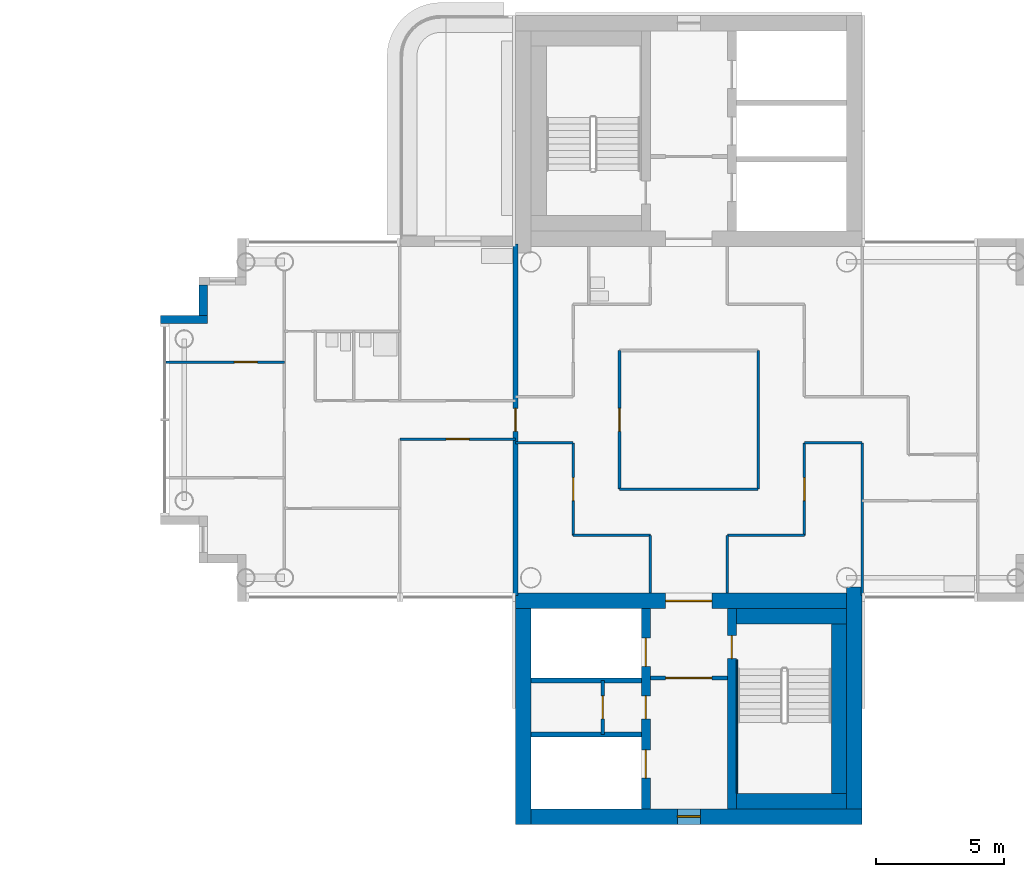
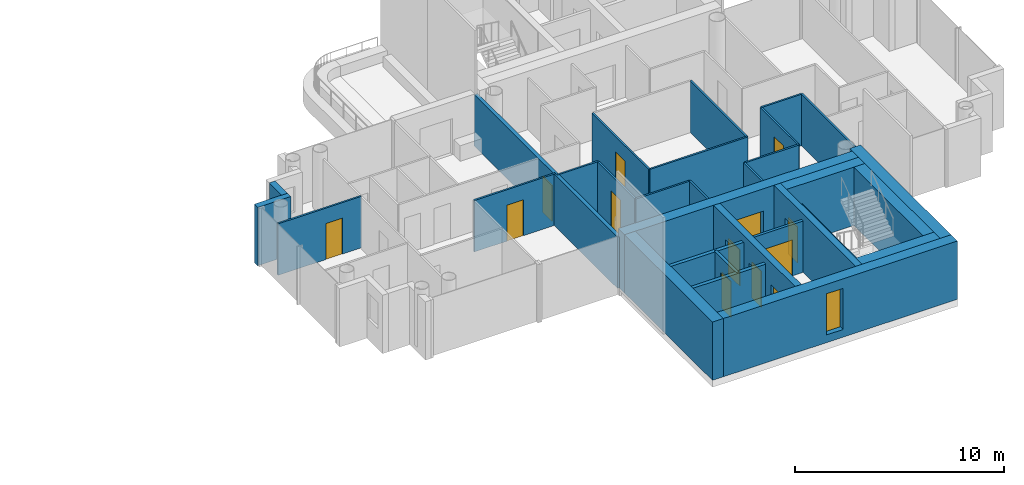
# One storey, part 9 of 18: 31 walls, 13 doors, 1 window, 14 openings.
"""IFC4 building model written with IfcOpenShell, lengths in metres."""

from ifc_helpers import new_model, si_unit, direction, frame, frame_2d, origin, place, context, subcontext, project, spatial, rectangle, extrude, material, layer, layer_set, type_object, element, fill, save


model = new_model("IFC4")

# Units and contexts
model_context = context("Model", 3, precision=1e-05, world=origin(), true_north=direction((0.0, 1.0)))
body_context = subcontext(model_context, "Body", "Model", "MODEL_VIEW")
ifc_project = project(units=[si_unit("LENGTHUNIT", "METRE"), si_unit("AREAUNIT", "SQUARE_METRE"), si_unit("VOLUMEUNIT", "CUBIC_METRE"), si_unit("PLANEANGLEUNIT", "RADIAN"), si_unit("MASSUNIT", "GRAM", prefix="KILO")], contexts=[model_context])

# Site, building, storey
site_placement = place(None, origin())
site = spatial("IfcSite", under=ifc_project, at=site_placement, CompositionType="ELEMENT")
building_placement = place(site_placement, origin())
building = spatial("IfcBuilding", under=site, at=building_placement, Name="Ipe Terrace Towers", CompositionType="ELEMENT")
storey_placement = place(building_placement, frame((0.0, 0.0, 199.39990234375)))
storey = spatial("IfcBuildingStorey", under=building, at=storey_placement, Name="L55", CompositionType="ELEMENT", Elevation=199.39990234375)

# Walls
ifc_material_1 = material(Name="Concrete C40/50 with buff precast cladding", Category="concrete")
ifc_layer_1 = layer(ifc_material_1, 0.320068359375)
ifc_layer_set_1 = layer_set([ifc_layer_1], Name="BUFF CLADDING WALL 320")
wall_type_1 = type_object("IfcWallType", Name="BUFF CLADDING WALL 320", PredefinedType="STANDARD", material=ifc_layer_set_1)
wall_1_placement = place(storey_placement, frame((17.090087890625, 5.25, -0.2998046875), z_axis=(0.0, 0.0, 1.0), x_axis=(0.0, -1.0, 0.0)))
element("IfcWall", 1, at=wall_1_placement, inside=storey, type_object=wall_type_1, Name="T2-W-L55-24a wall", PredefinedType="STANDARD", context=body_context, shape_type="SweptSolid", body=[
    extrude(rectangle(XDim=1.179931640625, YDim=0.320068359375, at=frame_2d((0.58984375, 0.0))), origin(), (0.0, 0.0, 1.0), 3.39990234375),
])
wall_2_placement = place(storey_placement, frame((17.25, 3.909912109375, -0.2998046875), z_axis=(0.0, 0.0, 1.0), x_axis=(-1.0, 0.0, 0.0)))
element("IfcWall", 2, at=wall_2_placement, inside=storey, type_object=wall_type_1, Name="T2-W-L55-25a wall", PredefinedType="STANDARD", context=body_context, shape_type="SweptSolid", body=[
    extrude(rectangle(XDim=1.820068359375, YDim=0.320068359375, at=frame_2d((0.91015625, 0.0))), origin(), (0.0, 0.0, 1.0), 3.39990234375),
])
ifc_material_2 = material(Name="Gypsum board partition", Category="plasterboard")
ifc_layer_2 = layer(ifc_material_2, 0.10009765625)
ifc_layer_set_2 = layer_set([ifc_layer_2], Name="Gypsum board partition 100 mm")
wall_type_2 = type_object("IfcWallType", Name="Gypsum board partition 100 mm", PredefinedType="PARTITIONING", material=ifc_layer_set_2)
for number, where, z_axis, x_axis, name in (
    (3, (40.5, -4.5, 0.0), (0.0, 0.0, 1.0), (-1.0, 0.0, 0.0), "Gypsum board partition T2 L55 W01"),
    (4, (34.5, -4.5, 0.0), (0.0, 0.0, 1.0), (-1.0, 0.0, 0.0), "Gypsum board partition T2 L55 W02"),
):
    element("IfcWall", number, at=place(storey_placement, frame(where, z_axis=z_axis, x_axis=x_axis)), inside=storey, type_object=wall_type_2, Name=name, PredefinedType="PARTITIONING", context=body_context, shape_type="SweptSolid", body=[
        extrude(rectangle(XDim=3.0, YDim=0.10009765625, at=frame_2d((1.5, 0.0))), origin(), (0.0, 0.0, 1.0), 3.0),
    ])
wall_3_placement = place(storey_placement, frame((38.699951171875, -2.699951171875, 0.0), z_axis=(0.0, 0.0, 1.0), x_axis=(-1.0, 0.0, 0.0)))
element("IfcWall", 5, at=wall_3_placement, inside=storey, type_object=wall_type_2, Name="Gypsum board partition T2 L55 W05", PredefinedType="PARTITIONING", context=body_context, shape_type="SweptSolid", body=[
    extrude(rectangle(XDim=5.39990234375, YDim=0.10009765625, at=frame_2d((2.699951171875, 0.0))), origin(), (0.0, 0.0, 1.0), 3.0),
])
for number, where, z_axis, x_axis, name in (
    (6, (42.75, -0.89990234375, 0.0), (0.0, 0.0, 1.0), (-1.0, 0.0, 0.0), "Gypsum board partition T2 L55 W08"),
    (7, (31.5, -0.89990234375, 0.0), (0.0, 0.0, 1.0), (-1.0, 0.0, 0.0), "Gypsum board partition T2 L55 W09"),
):
    element("IfcWall", number, at=place(storey_placement, frame(where, z_axis=z_axis, x_axis=x_axis)), inside=storey, type_object=wall_type_2, Name=name, PredefinedType="PARTITIONING", context=body_context, shape_type="SweptSolid", body=[
        extrude(rectangle(XDim=2.25, YDim=0.10009765625, at=frame_2d((1.125, 0.0))), origin(), (0.0, 0.0, 1.0), 3.0),
    ])

# Wall, opening, door
wall_4_placement = place(storey_placement, frame((29.25, -0.75, 0.0), z_axis=(0.0, 0.0, 1.0), x_axis=(-1.0, 0.0, 0.0)))
wall_4 = element("IfcWall", 8, at=wall_4_placement, inside=storey, type_object=wall_type_2, Name="Gypsum board partition T2 L55 W10", PredefinedType="PARTITIONING", context=body_context, shape_type="SweptSolid", body=[
    extrude(rectangle(XDim=4.5, YDim=0.10009765625, at=frame_2d((2.25, 0.0))), origin(), (0.0, 0.0, 1.0), 3.0),
])
opening_1_placement = place(wall_4_placement, frame((1.800048828125, 0.0, 0.0)))
opening_1 = element("IfcOpeningElement", 9, at=opening_1_placement, cuts=wall_4, Name="Opening T2-Z4D-07", PredefinedType="OPENING", context=body_context, shape_type="SweptSolid", body=[
    extrude(rectangle(XDim=0.89990234375, YDim=2.10009765625, at=frame_2d((0.449951171875, 1.050048828125))), frame((0.0, 0.06005859375, 0.0), z_axis=(0.0, -1.0, 0.0), x_axis=(1.0, 0.0, 0.0)), (0.0, 0.0, 1.0), 0.1201171875),
])
ifc_material_3 = material(Name="Timber door leaf", Category="wood")
door_type_1 = type_object("IfcDoorType", Name="Lounge door 900 x 2100", OperationType="NOTDEFINED", PredefinedType="DOOR", material=ifc_material_3)
door_1_placement = place(opening_1_placement, origin())
door_1 = element("IfcDoor", 10, at=door_1_placement, inside=storey, type_object=door_type_1, Name="Lounge door T2-Z4D-07", OperationType="SINGLE_SWING_LEFT", OverallHeight=2.10009765625, OverallWidth=0.89990234375, PredefinedType="DOOR", context=body_context, shape_type="SweptSolid", body=[
    extrude(rectangle(XDim=0.89990234375, YDim=2.10009765625, at=frame_2d((0.449951171875, 1.050048828125))), frame((0.0, 0.02490234375, 0.0), z_axis=(0.0, -1.0, 0.0), x_axis=(1.0, 0.0, 0.0)), (0.0, 0.0, 1.0), 0.050048828125),
])
fill(opening_1, door_1)

wall_5_placement = place(storey_placement, frame((20.25, 2.25, 0.0), z_axis=(0.0, 0.0, 1.0), x_axis=(-1.0, 0.0, 0.0)))
wall_5 = element("IfcWall", 11, at=wall_5_placement, inside=storey, type_object=wall_type_2, Name="Gypsum board partition T2 L55 W14", PredefinedType="PARTITIONING", context=body_context, shape_type="SweptSolid", body=[
    extrude(rectangle(XDim=4.60009765625, YDim=0.10009765625, at=frame_2d((2.300048828125, 0.0))), origin(), (0.0, 0.0, 1.0), 3.0),
])
opening_2_placement = place(wall_5_placement, frame((1.050048828125, 0.0, 0.0)))
opening_2 = element("IfcOpeningElement", 12, at=opening_2_placement, cuts=wall_5, Name="Opening T2-Z4D-16", PredefinedType="OPENING", context=body_context, shape_type="SweptSolid", body=[
    extrude(rectangle(XDim=0.89990234375, YDim=2.10009765625, at=frame_2d((0.449951171875, 1.050048828125))), frame((0.0, 0.06005859375, 0.0), z_axis=(0.0, -1.0, 0.0), x_axis=(1.0, 0.0, 0.0)), (0.0, 0.0, 1.0), 0.1201171875),
])
ifc_material_4 = material(Name="Timber door leaf", Category="wood")
door_type_2 = type_object("IfcDoorType", Name="Bedroom door 900 x 2100", OperationType="NOTDEFINED", PredefinedType="DOOR", material=ifc_material_4)
door_2_placement = place(opening_2_placement, origin())
door_2 = element("IfcDoor", 13, at=door_2_placement, inside=storey, type_object=door_type_2, Name="Bedroom door T2-Z4D-16", OperationType="SINGLE_SWING_LEFT", OverallHeight=2.10009765625, OverallWidth=0.89990234375, PredefinedType="DOOR", context=body_context, shape_type="SweptSolid", body=[
    extrude(rectangle(XDim=0.89990234375, YDim=2.10009765625, at=frame_2d((0.449951171875, 1.050048828125))), frame((0.0, 0.02490234375, 0.0), z_axis=(0.0, -1.0, 0.0), x_axis=(1.0, 0.0, 0.0)), (0.0, 0.0, 1.0), 0.050048828125),
])
fill(opening_2, door_2)

# Wall
wall_6_placement = place(storey_placement, frame((42.75, -6.85009765625, 0.0), z_axis=(0.0, 0.0, 1.0), x_axis=(0.0, 1.0, 0.0)))
element("IfcWall", 14, at=wall_6_placement, inside=storey, type_object=wall_type_2, Name="Gypsum board partition T2 L55 W21", PredefinedType="PARTITIONING", context=body_context, shape_type="SweptSolid", body=[
    extrude(rectangle(XDim=5.9501953125, YDim=0.10009765625, at=frame_2d((2.97509765625, 0.0))), origin(), (0.0, 0.0, 1.0), 3.0),
])

# Wall, opening, door
wall_7_placement = place(storey_placement, frame((40.5, -4.5, 0.0), z_axis=(0.0, 0.0, 1.0), x_axis=(0.0, 1.0, 0.0)))
wall_7 = element("IfcWall", 15, at=wall_7_placement, inside=storey, type_object=wall_type_2, Name="Gypsum board partition T2 L55 W23", PredefinedType="PARTITIONING", context=body_context, shape_type="SweptSolid", body=[
    extrude(rectangle(XDim=3.60009765625, YDim=0.10009765625, at=frame_2d((1.800048828125, 0.0))), origin(), (0.0, 0.0, 1.0), 3.0),
])
opening_3_placement = place(wall_7_placement, frame((1.35009765625, 0.0, 0.0)))
opening_3 = element("IfcOpeningElement", 16, at=opening_3_placement, cuts=wall_7, Name="Opening T2-Z4D-05", PredefinedType="OPENING", context=body_context, shape_type="SweptSolid", body=[
    extrude(rectangle(XDim=0.89990234375, YDim=2.10009765625, at=frame_2d((0.449951171875, 1.050048828125))), frame((0.0, 0.06005859375, 0.0), z_axis=(0.0, -1.0, 0.0), x_axis=(1.0, 0.0, 0.0)), (0.0, 0.0, 1.0), 0.1201171875),
])
door_3_placement = place(opening_3_placement, origin())
door_3 = element("IfcDoor", 17, at=door_3_placement, inside=storey, type_object=door_type_1, Name="Lounge door T2-Z4D-05", OperationType="SINGLE_SWING_RIGHT", OverallHeight=2.10009765625, OverallWidth=0.89990234375, PredefinedType="DOOR", context=body_context, shape_type="SweptSolid", body=[
    extrude(rectangle(XDim=0.89990234375, YDim=2.10009765625, at=frame_2d((0.449951171875, 1.050048828125))), frame((0.0, 0.02490234375, 0.0), z_axis=(0.0, -1.0, 0.0), x_axis=(1.0, 0.0, 0.0)), (0.0, 0.0, 1.0), 0.050048828125),
])
fill(opening_3, door_3)

# Walls
wall_8_placement = place(storey_placement, frame((38.699951171875, -2.699951171875, 0.0), z_axis=(0.0, 0.0, 1.0), x_axis=(0.0, 1.0, 0.0)))
element("IfcWall", 18, at=wall_8_placement, inside=storey, type_object=wall_type_2, Name="Gypsum board partition T2 L55 W25", PredefinedType="PARTITIONING", context=body_context, shape_type="SweptSolid", body=[
    extrude(rectangle(XDim=5.39990234375, YDim=0.10009765625, at=frame_2d((2.699951171875, 0.0))), origin(), (0.0, 0.0, 1.0), 3.0),
])
for number, where, z_axis, x_axis, name in (
    (19, (37.5, -6.75, 0.0), (0.0, 0.0, 1.0), (0.0, 1.0, 0.0), "Gypsum board partition T2 L55 W26"),
    (20, (34.5, -6.75, 0.0), (0.0, 0.0, 1.0), (0.0, 1.0, 0.0), "Gypsum board partition T2 L55 W28"),
):
    element("IfcWall", number, at=place(storey_placement, frame(where, z_axis=z_axis, x_axis=x_axis)), inside=storey, type_object=wall_type_2, Name=name, PredefinedType="PARTITIONING", context=body_context, shape_type="SweptSolid", body=[
        extrude(rectangle(XDim=2.25, YDim=0.10009765625, at=frame_2d((1.125, 0.0))), origin(), (0.0, 0.0, 1.0), 3.0),
    ])

# Wall, opening, door
wall_9_placement = place(storey_placement, frame((33.300048828125, -2.699951171875, 0.0), z_axis=(0.0, 0.0, 1.0), x_axis=(0.0, 1.0, 0.0)))
wall_9 = element("IfcWall", 21, at=wall_9_placement, inside=storey, type_object=wall_type_2, Name="Gypsum board partition T2 L55 W30", PredefinedType="PARTITIONING", context=body_context, shape_type="SweptSolid", body=[
    extrude(rectangle(XDim=5.39990234375, YDim=0.10009765625, at=frame_2d((2.699951171875, 0.0))), origin(), (0.0, 0.0, 1.0), 3.0),
])
opening_4_placement = place(wall_9_placement, frame((2.25, 0.0, 0.0)))
opening_4 = element("IfcOpeningElement", 22, at=opening_4_placement, cuts=wall_9, Name="Opening T2-Z4D-01", PredefinedType="OPENING", context=body_context, shape_type="SweptSolid", body=[
    extrude(rectangle(XDim=0.89990234375, YDim=2.10009765625, at=frame_2d((0.449951171875, 1.050048828125))), frame((0.0, 0.06005859375, 0.0), z_axis=(0.0, -1.0, 0.0), x_axis=(1.0, 0.0, 0.0)), (0.0, 0.0, 1.0), 0.1201171875),
])
door_4_placement = place(opening_4_placement, origin())
door_4 = element("IfcDoor", 23, at=door_4_placement, inside=storey, type_object=door_type_1, Name="Lounge door T2-Z4D-01", OperationType="SINGLE_SWING_RIGHT", OverallHeight=2.10009765625, OverallWidth=0.89990234375, PredefinedType="DOOR", context=body_context, shape_type="SweptSolid", body=[
    extrude(rectangle(XDim=0.89990234375, YDim=2.10009765625, at=frame_2d((0.449951171875, 1.050048828125))), frame((0.0, 0.02490234375, 0.0), z_axis=(0.0, -1.0, 0.0), x_axis=(1.0, 0.0, 0.0)), (0.0, 0.0, 1.0), 0.050048828125),
])
fill(opening_4, door_4)

wall_10_placement = place(storey_placement, frame((31.5, -4.5, 0.0), z_axis=(0.0, 0.0, 1.0), x_axis=(0.0, 1.0, 0.0)))
wall_10 = element("IfcWall", 24, at=wall_10_placement, inside=storey, type_object=wall_type_2, Name="Gypsum board partition T2 L55 W32", PredefinedType="PARTITIONING", context=body_context, shape_type="SweptSolid", body=[
    extrude(rectangle(XDim=3.60009765625, YDim=0.10009765625, at=frame_2d((1.800048828125, 0.0))), origin(), (0.0, 0.0, 1.0), 3.0),
])
opening_5_placement = place(wall_10_placement, frame((1.35009765625, 0.0, 0.0)))
opening_5 = element("IfcOpeningElement", 25, at=opening_5_placement, cuts=wall_10, Name="Opening T2-Z4D-04", PredefinedType="OPENING", context=body_context, shape_type="SweptSolid", body=[
    extrude(rectangle(XDim=0.89990234375, YDim=2.10009765625, at=frame_2d((0.449951171875, 1.050048828125))), frame((0.0, 0.06005859375, 0.0), z_axis=(0.0, -1.0, 0.0), x_axis=(1.0, 0.0, 0.0)), (0.0, 0.0, 1.0), 0.1201171875),
])
door_5_placement = place(opening_5_placement, origin())
door_5 = element("IfcDoor", 26, at=door_5_placement, inside=storey, type_object=door_type_1, Name="Lounge door T2-Z4D-04", OperationType="SINGLE_SWING_LEFT", OverallHeight=2.10009765625, OverallWidth=0.89990234375, PredefinedType="DOOR", context=body_context, shape_type="SweptSolid", body=[
    extrude(rectangle(XDim=0.89990234375, YDim=2.10009765625, at=frame_2d((0.449951171875, 1.050048828125))), frame((0.0, 0.02490234375, 0.0), z_axis=(0.0, -1.0, 0.0), x_axis=(1.0, 0.0, 0.0)), (0.0, 0.0, 1.0), 0.050048828125),
])
fill(opening_5, door_5)

ifc_material_5 = material(Name="Gypsum board partition", Category="plasterboard")
ifc_layer_3 = layer(ifc_material_5, 0.14990234375)
ifc_layer_set_3 = layer_set([ifc_layer_3], Name="Gypsum board partition 150 mm")
wall_type_3 = type_object("IfcWallType", Name="Gypsum board partition 150 mm", PredefinedType="PARTITIONING", material=ifc_layer_set_3)
wall_11_placement = place(storey_placement, frame((34.5, -10.050048828125, 0.0), z_axis=(0.0, 0.0, 1.0), x_axis=(1.0, 0.0, 0.0)))
wall_11 = element("IfcWall", 27, at=wall_11_placement, inside=storey, type_object=wall_type_3, Name="Gypsum board partition T2 L55 t2c2-lobby-wall", PredefinedType="PARTITIONING", context=body_context, shape_type="SweptSolid", body=[
    extrude(rectangle(XDim=3.0, YDim=0.14990234375, at=frame_2d((1.5, 0.0))), origin(), (0.0, 0.0, 1.0), 3.0),
])
opening_6_placement = place(wall_11_placement, frame((0.60009765625, 0.0, 0.0)))
opening_6 = element("IfcOpeningElement", 28, at=opening_6_placement, cuts=wall_11, Name="Opening T2C2-VD", PredefinedType="OPENING", context=body_context, shape_type="SweptSolid", body=[
    extrude(rectangle(XDim=1.800048828125, YDim=2.10009765625, at=frame_2d((0.89990234375, 1.050048828125))), frame((0.0, 0.0849609375, 0.0), z_axis=(0.0, -1.0, 0.0), x_axis=(1.0, 0.0, 0.0)), (0.0, 0.0, 1.0), 0.169921875),
])
ifc_material_6 = material(Name="Fire-rated timber door leaf", Category="wood")
door_type_3 = type_object("IfcDoorType", Name="Lobby door 1800 x 2100 FD60", OperationType="NOTDEFINED", PredefinedType="DOOR", material=ifc_material_6)
door_6_placement = place(opening_6_placement, origin())
door_6 = element("IfcDoor", 29, at=door_6_placement, inside=storey, type_object=door_type_3, Name="Lobby door T2C2-VD", OperationType="SINGLE_SWING_LEFT", OverallHeight=2.10009765625, OverallWidth=1.800048828125, PredefinedType="DOOR", context=body_context, shape_type="SweptSolid", body=[
    extrude(rectangle(XDim=1.800048828125, YDim=2.10009765625, at=frame_2d((0.89990234375, 1.050048828125))), frame((0.0, 0.02490234375, 0.0), z_axis=(0.0, -1.0, 0.0), x_axis=(1.0, 0.0, 0.0)), (0.0, 0.0, 1.0), 0.050048828125),
])
fill(opening_6, door_6)

wall_12_placement = place(storey_placement, frame((32.64990234375, -10.14990234375, 0.0), z_axis=(0.0, 0.0, 1.0), x_axis=(0.0, -1.0, 0.0)))
wall_12 = element("IfcWall", 30, at=wall_12_placement, inside=storey, type_object=wall_type_3, Name="Gypsum board partition T2 L55 t2c2-q-back", PredefinedType="PARTITIONING", context=body_context, shape_type="SweptSolid", body=[
    extrude(rectangle(XDim=2.10009765625, YDim=0.14990234375, at=frame_2d((1.050048828125, 0.0))), origin(), (0.0, 0.0, 1.0), 3.0),
])
opening_7_placement = place(wall_12_placement, frame((0.60009765625, 0.0, 0.0)))
opening_7 = element("IfcOpeningElement", 31, at=opening_7_placement, cuts=wall_12, Name="Opening T2C2-RB", PredefinedType="OPENING", context=body_context, shape_type="SweptSolid", body=[
    extrude(rectangle(XDim=0.89990234375, YDim=2.10009765625, at=frame_2d((0.449951171875, 1.050048828125))), frame((0.0, 0.0849609375, 0.0), z_axis=(0.0, -1.0, 0.0), x_axis=(1.0, 0.0, 0.0)), (0.0, 0.0, 1.0), 0.169921875),
])
ifc_material_7 = material(Name="Fire-rated timber door leaf", Category="wood")
door_type_4 = type_object("IfcDoorType", Name="Service door 900 x 2100 FD60", OperationType="NOTDEFINED", PredefinedType="DOOR", material=ifc_material_7)
door_7_placement = place(opening_7_placement, origin())
door_7 = element("IfcDoor", 32, at=door_7_placement, inside=storey, type_object=door_type_4, Name="Service door T2C2-RB", OperationType="SINGLE_SWING_LEFT", OverallHeight=2.10009765625, OverallWidth=0.89990234375, PredefinedType="DOOR", context=body_context, shape_type="SweptSolid", body=[
    extrude(rectangle(XDim=0.89990234375, YDim=2.10009765625, at=frame_2d((0.449951171875, 1.050048828125))), frame((0.0, 0.02490234375, 0.0), z_axis=(0.0, -1.0, 0.0), x_axis=(1.0, 0.0, 0.0)), (0.0, 0.0, 1.0), 0.050048828125),
])
fill(opening_7, door_7)

# Walls
ifc_material_8 = material(Name="Gypsum board party wall", Category="plasterboard")
ifc_layer_4 = layer(ifc_material_8, 0.199951171875)
ifc_layer_set_4 = layer_set([ifc_layer_4], Name="Gypsum board party wall 200 mm")
wall_type_4 = type_object("IfcWallType", Name="Gypsum board party wall 200 mm", PredefinedType="SOLIDWALL", material=ifc_layer_set_4)
for number, where, z_axis, x_axis, name in (
    (33, (29.85009765625, -12.25, 0.0), (0.0, 0.0, 1.0), (1.0, 0.0, 0.0), "Gypsum board party wall T2 L55 t2c2-shaft-div2"),
    (34, (29.85009765625, -10.14990234375, 0.0), (0.0, 0.0, 1.0), (1.0, 0.0, 0.0), "Gypsum board party wall T2 L55 t2c2-shaft-div1"),
):
    element("IfcWall", number, at=place(storey_placement, frame(where, z_axis=z_axis, x_axis=x_axis)), inside=storey, type_object=wall_type_4, Name=name, PredefinedType="SOLIDWALL", context=body_context, shape_type="SweptSolid", body=[
        extrude(rectangle(XDim=4.2998046875, YDim=0.199951171875, at=frame_2d((2.14990234375, 0.0))), origin(), (0.0, 0.0, 1.0), 3.0),
    ])

# Wall, opening, door
wall_13_placement = place(storey_placement, frame((29.25, -6.85009765625, 0.0), z_axis=(0.0, 0.0, 1.0), x_axis=(0.0, 1.0, 0.0)))
wall_13 = element("IfcWall", 35, at=wall_13_placement, inside=storey, type_object=wall_type_4, Name="Gypsum board party wall T2 L55 W34", PredefinedType="SOLIDWALL", context=body_context, shape_type="SweptSolid", body=[
    extrude(rectangle(XDim=13.7001953125, YDim=0.199951171875, at=frame_2d((6.85009765625, 0.0))), origin(), (0.0, 0.0, 1.0), 3.0),
])
opening_8_placement = place(wall_13_placement, frame((6.39990234375, 0.0, 0.0)))
opening_8 = element("IfcOpeningElement", 36, at=opening_8_placement, cuts=wall_13, Name="Opening T2-Z4D-09", PredefinedType="OPENING", context=body_context, shape_type="SweptSolid", body=[
    extrude(rectangle(XDim=0.89990234375, YDim=2.10009765625, at=frame_2d((0.449951171875, 1.050048828125))), frame((0.0, 0.10986328125, 0.0), z_axis=(0.0, -1.0, 0.0), x_axis=(1.0, 0.0, 0.0)), (0.0, 0.0, 1.0), 0.219970703125),
])
ifc_material_9 = material(Name="Fire-rated timber door leaf", Category="wood")
door_type_5 = type_object("IfcDoorType", Name="Flat entrance door 900 x 2100 FD30S", OperationType="NOTDEFINED", PredefinedType="DOOR", material=ifc_material_9)
door_8_placement = place(opening_8_placement, origin())
door_8 = element("IfcDoor", 37, at=door_8_placement, inside=storey, type_object=door_type_5, Name="Flat entrance door T2-Z4D-09", OperationType="SINGLE_SWING_LEFT", OverallHeight=2.10009765625, OverallWidth=0.89990234375, PredefinedType="DOOR", context=body_context, shape_type="SweptSolid", body=[
    extrude(rectangle(XDim=0.89990234375, YDim=2.10009765625, at=frame_2d((0.449951171875, 1.050048828125))), frame((0.0, 0.02490234375, 0.0), z_axis=(0.0, -1.0, 0.0), x_axis=(1.0, 0.0, 0.0)), (0.0, 0.0, 1.0), 0.050048828125),
])
fill(opening_8, door_8)

# Wall, openings, doors
ifc_material_10 = material(Name="Concrete C40/50", Category="concrete")
ifc_layer_5 = layer(ifc_material_10, 0.35009765625)
ifc_layer_set_5 = layer_set([ifc_layer_5], Name="RW350 CORE SPINE WALL 350 C40-50")
wall_type_5 = type_object("IfcWallType", Name="RW350 CORE SPINE WALL 350 C40-50", PredefinedType="SHEAR", material=ifc_layer_set_5)
wall_14_placement = place(storey_placement, frame((34.324951171875, -15.14990234375, 0.0), z_axis=(0.0, 0.0, 1.0), x_axis=(0.0, 1.0, 0.0)))
wall_14 = element("IfcWall", 38, at=wall_14_placement, inside=storey, type_object=wall_type_5, Name="Core spine wall T2-C2-Z4-SW1", PredefinedType="SHEAR", context=body_context, shape_type="SweptSolid", body=[
    extrude(rectangle(XDim=7.7998046875, YDim=0.35009765625, at=frame_2d((3.89990234375, 0.0))), origin(), (0.0, 0.0, 1.0), 3.400146484375),
])
opening_9_placement = place(wall_14_placement, frame((5.550048828125, 0.0, 0.0)))
opening_9 = element("IfcOpeningElement", 39, at=opening_9_placement, cuts=wall_14, Name="Opening T2C2-LD1", PredefinedType="OPENING", context=body_context, shape_type="SweptSolid", body=[
    extrude(rectangle(XDim=1.10009765625, YDim=2.10009765625, at=frame_2d((0.550048828125, 1.050048828125))), frame((0.0, 0.18505859375, 0.0), z_axis=(0.0, -1.0, 0.0), x_axis=(1.0, 0.0, 0.0)), (0.0, 0.0, 1.0), 0.3701171875),
])
opening_10_placement = place(wall_14_placement, frame((1.199951171875, 0.0, 0.0)))
opening_10 = element("IfcOpeningElement", 40, at=opening_10_placement, cuts=wall_14, Name="Opening T2C2-LD3", PredefinedType="OPENING", context=body_context, shape_type="SweptSolid", body=[
    extrude(rectangle(XDim=1.10009765625, YDim=2.10009765625, at=frame_2d((0.550048828125, 1.050048828125))), frame((0.0, 0.18505859375, 0.0), z_axis=(0.0, -1.0, 0.0), x_axis=(1.0, 0.0, 0.0)), (0.0, 0.0, 1.0), 0.3701171875),
])
opening_11_placement = place(wall_14_placement, frame((3.5, 0.0, 0.0)))
opening_11 = element("IfcOpeningElement", 41, at=opening_11_placement, cuts=wall_14, Name="Opening T2C2-R1", PredefinedType="OPENING", context=body_context, shape_type="SweptSolid", body=[
    extrude(rectangle(XDim=0.89990234375, YDim=2.10009765625, at=frame_2d((0.449951171875, 1.050048828125))), frame((0.0, 0.18505859375, 0.0), z_axis=(0.0, -1.0, 0.0), x_axis=(1.0, 0.0, 0.0)), (0.0, 0.0, 1.0), 0.3701171875),
])
ifc_material_11 = material(Name="Fire-rated timber door leaf", Category="wood")
door_type_6 = type_object("IfcDoorType", Name="Sliding door 1100 x 2100 FD60", OperationType="SLIDING_TO_LEFT", PredefinedType="DOOR", material=ifc_material_11)
door_9_placement = place(opening_9_placement, origin())
door_9 = element("IfcDoor", 42, at=door_9_placement, inside=storey, type_object=door_type_6, Name="Sliding door T2C2-LD1", OperationType="SLIDING_TO_LEFT", OverallHeight=2.10009765625, OverallWidth=1.10009765625, PredefinedType="DOOR", context=body_context, shape_type="SweptSolid", body=[
    extrude(rectangle(XDim=1.10009765625, YDim=2.10009765625, at=frame_2d((0.550048828125, 1.050048828125))), frame((0.0, 0.02490234375, 0.0), z_axis=(0.0, -1.0, 0.0), x_axis=(1.0, 0.0, 0.0)), (0.0, 0.0, 1.0), 0.050048828125),
])
fill(opening_9, door_9)
door_10_placement = place(opening_10_placement, origin())
door_10 = element("IfcDoor", 43, at=door_10_placement, inside=storey, type_object=door_type_6, Name="Sliding door T2C2-LD3", OperationType="SLIDING_TO_LEFT", OverallHeight=2.10009765625, OverallWidth=1.10009765625, PredefinedType="DOOR", context=body_context, shape_type="SweptSolid", body=[
    extrude(rectangle(XDim=1.10009765625, YDim=2.10009765625, at=frame_2d((0.550048828125, 1.050048828125))), frame((0.0, 0.02490234375, 0.0), z_axis=(0.0, -1.0, 0.0), x_axis=(1.0, 0.0, 0.0)), (0.0, 0.0, 1.0), 0.050048828125),
])
fill(opening_10, door_10)
ifc_material_12 = material(Name="Timber door leaf", Category="wood")
door_type_7 = type_object("IfcDoorType", Name="Store door 900 x 2100", OperationType="NOTDEFINED", PredefinedType="DOOR", material=ifc_material_12)
door_11_placement = place(opening_11_placement, origin())
door_11 = element("IfcDoor", 44, at=door_11_placement, inside=storey, type_object=door_type_7, Name="Store door T2C2-R1", OperationType="SINGLE_SWING_LEFT", OverallHeight=2.10009765625, OverallWidth=0.89990234375, PredefinedType="DOOR", context=body_context, shape_type="SweptSolid", body=[
    extrude(rectangle(XDim=0.89990234375, YDim=2.10009765625, at=frame_2d((0.449951171875, 1.050048828125))), frame((0.0, 0.02490234375, 0.0), z_axis=(0.0, -1.0, 0.0), x_axis=(1.0, 0.0, 0.0)), (0.0, 0.0, 1.0), 0.050048828125),
])
fill(opening_11, door_11)

# Wall, opening, door
wall_15_placement = place(storey_placement, frame((37.675048828125, -15.14990234375, 0.0), z_axis=(0.0, 0.0, 1.0), x_axis=(0.0, 1.0, 0.0)))
wall_15 = element("IfcWall", 45, at=wall_15_placement, inside=storey, type_object=wall_type_5, Name="Core spine wall T2-C2-Z4-SW2", PredefinedType="SHEAR", context=body_context, shape_type="SweptSolid", body=[
    extrude(rectangle(XDim=7.7998046875, YDim=0.35009765625, at=frame_2d((3.89990234375, 0.0))), origin(), (0.0, 0.0, 1.0), 3.400146484375),
])
opening_12_placement = place(wall_15_placement, frame((5.85009765625, 0.0, 0.0)))
opening_12 = element("IfcOpeningElement", 46, at=opening_12_placement, cuts=wall_15, Name="Opening T2C2-SD", PredefinedType="OPENING", context=body_context, shape_type="SweptSolid", body=[
    extrude(rectangle(XDim=0.89990234375, YDim=2.10009765625, at=frame_2d((0.449951171875, 1.050048828125))), frame((0.0, 0.18505859375, 0.0), z_axis=(0.0, -1.0, 0.0), x_axis=(1.0, 0.0, 0.0)), (0.0, 0.0, 1.0), 0.3701171875),
])
ifc_material_13 = material(Name="Fire-rated timber door leaf", Category="wood")
door_type_8 = type_object("IfcDoorType", Name="Stair door 900 x 2100 FD60", OperationType="NOTDEFINED", PredefinedType="DOOR", material=ifc_material_13)
door_12_placement = place(opening_12_placement, origin())
door_12 = element("IfcDoor", 47, at=door_12_placement, inside=storey, type_object=door_type_8, Name="Stair door T2C2-SD", OperationType="SINGLE_SWING_RIGHT", OverallHeight=2.10009765625, OverallWidth=0.89990234375, PredefinedType="DOOR", context=body_context, shape_type="SweptSolid", body=[
    extrude(rectangle(XDim=0.89990234375, YDim=2.10009765625, at=frame_2d((0.449951171875, 1.050048828125))), frame((0.0, 0.02490234375, 0.0), z_axis=(0.0, -1.0, 0.0), x_axis=(1.0, 0.0, 0.0)), (0.0, 0.0, 1.0), 0.050048828125),
])
fill(opening_12, door_12)

# Walls
ifc_material_14 = material(Name="Concrete C40/50", Category="concrete")
ifc_layer_6 = layer(ifc_material_14, 0.050048828125)
ifc_layer_set_6 = layer_set([ifc_layer_6], Name="RW50 CORE INFILL WALL 50 C40-50")
wall_type_6 = type_object("IfcWallType", Name="RW50 CORE INFILL WALL 50 C40-50", PredefinedType="SHEAR", material=ifc_layer_set_6)
wall_16_placement = place(storey_placement, frame((37.875, -9.35009765625, 0.0), z_axis=(0.0, 0.0, 1.0), x_axis=(0.0, -1.0, 0.0)))
element("IfcWall", 48, at=wall_16_placement, inside=storey, type_object=wall_type_6, Name="Core infill wall T2-C2-spine-b", PredefinedType="SHEAR", context=body_context, shape_type="SweptSolid", body=[
    extrude(rectangle(XDim=5.199951171875, YDim=0.050048828125, at=frame_2d((2.60009765625, 0.0))), origin(), (0.0, 0.0, 1.0), 3.400146484375),
])
ifc_material_15 = material(Name="Concrete C40/50", Category="concrete")
ifc_layer_7 = layer(ifc_material_15, 0.60009765625)
ifc_layer_set_7 = layer_set([ifc_layer_7], Name="RW600 CORE INFILL WALL 600 C40-50")
wall_type_7 = type_object("IfcWallType", Name="RW600 CORE INFILL WALL 600 C40-50", PredefinedType="SHEAR", material=ifc_layer_set_7)
wall_17_placement = place(storey_placement, frame((37.85009765625, -14.85009765625, 0.0), z_axis=(0.0, 0.0, 1.0), x_axis=(1.0, 0.0, 0.0)))
element("IfcWall", 49, at=wall_17_placement, inside=storey, type_object=wall_type_7, Name="Core infill wall T2-C2-far", PredefinedType="SHEAR", context=body_context, shape_type="SweptSolid", body=[
    extrude(rectangle(XDim=4.2998046875, YDim=0.60009765625, at=frame_2d((2.14990234375, 0.0))), origin(), (0.0, 0.0, 1.0), 3.400146484375),
])
wall_18_placement = place(storey_placement, frame((41.85009765625, -7.949951171875, 0.0), z_axis=(0.0, 0.0, 1.0), x_axis=(0.0, -1.0, 0.0)))
element("IfcWall", 50, at=wall_18_placement, inside=storey, type_object=wall_type_7, Name="Core infill wall T2-C2-back", PredefinedType="SHEAR", context=body_context, shape_type="SweptSolid", body=[
    extrude(rectangle(XDim=6.60009765625, YDim=0.60009765625, at=frame_2d((3.300048828125, 0.0))), origin(), (0.0, 0.0, 1.0), 3.400146484375),
])
wall_19_placement = place(storey_placement, frame((37.85009765625, -7.64990234375, 0.0), z_axis=(0.0, 0.0, 1.0), x_axis=(1.0, 0.0, 0.0)))
element("IfcWall", 51, at=wall_19_placement, inside=storey, type_object=wall_type_7, Name="Core infill wall T2-C2-near", PredefinedType="SHEAR", context=body_context, shape_type="SweptSolid", body=[
    extrude(rectangle(XDim=4.2998046875, YDim=0.60009765625, at=frame_2d((2.14990234375, 0.0))), origin(), (0.0, 0.0, 1.0), 3.400146484375),
])

# Wall, opening, window
ifc_material_16 = material(Name="Concrete C40/50", Category="concrete")
ifc_layer_8 = layer(ifc_material_16, 0.60009765625)
ifc_layer_set_8 = layer_set([ifc_layer_8], Name="RW600 CORE WALL 600 C40-50")
wall_type_8 = type_object("IfcWallType", Name="RW600 CORE WALL 600 C40-50", PredefinedType="SHEAR", material=ifc_layer_set_8)
wall_20_placement = place(storey_placement, frame((29.85009765625, -15.449951171875, 0.0), z_axis=(0.0, 0.0, 1.0), x_axis=(1.0, 0.0, 0.0)))
wall_20 = element("IfcWall", 52, at=wall_20_placement, inside=storey, type_object=wall_type_8, Name="Core wall T2-C2-Z4-W01", PredefinedType="SHEAR", context=body_context, shape_type="SweptSolid", body=[
    extrude(rectangle(XDim=12.89990234375, YDim=0.60009765625, at=frame_2d((6.449951171875, 0.0))), origin(), (0.0, 0.0, 1.0), 3.400146484375),
])
opening_13_placement = place(wall_20_placement, frame((5.699951171875, 0.0, 0.449951171875)))
opening_13 = element("IfcOpeningElement", 53, at=opening_13_placement, cuts=wall_20, Name="Opening T2-C2-W-01-L55", PredefinedType="OPENING", context=body_context, shape_type="SweptSolid", body=[
    extrude(rectangle(XDim=0.89990234375, YDim=2.39990234375, at=frame_2d((0.449951171875, 1.199951171875))), frame((0.0, 0.31005859375, 0.0), z_axis=(0.0, -1.0, 0.0), x_axis=(1.0, 0.0, 0.0)), (0.0, 0.0, 1.0), 0.6201171875),
])
ifc_material_17 = material(Name="Fire-resistant glazing EI 60", Category="glass")
window_type = type_object("IfcWindowType", Name="CORRIDOR END SLOT WINDOW 900 x 2400 EI 60", PartitioningType="SINGLE_PANEL", PredefinedType="WINDOW", material=ifc_material_17)
window_placement = place(opening_13_placement, origin())
window = element("IfcWindow", 54, at=window_placement, inside=storey, type_object=window_type, Name="W-01 window", OverallHeight=2.39990234375, OverallWidth=0.89990234375, PartitioningType="SINGLE_PANEL", PredefinedType="WINDOW", context=body_context, shape_type="SweptSolid", body=[
    extrude(rectangle(XDim=0.89990234375, YDim=2.39990234375, at=frame_2d((0.449951171875, 1.199951171875))), frame((0.0, 0.030029296875, 0.0), z_axis=(0.0, -1.0, 0.0), x_axis=(1.0, 0.0, 0.0)), (0.0, 0.0, 1.0), 0.06005859375),
])
fill(opening_13, window)

# Wall
wall_21_placement = place(storey_placement, frame((42.449951171875, -15.14990234375, 0.0), z_axis=(0.0, 0.0, 1.0), x_axis=(0.0, 1.0, 0.0)))
element("IfcWall", 55, at=wall_21_placement, inside=storey, type_object=wall_type_8, Name="Core wall T2-C2-Z4-W02", PredefinedType="SHEAR", context=body_context, shape_type="SweptSolid", body=[
    extrude(rectangle(XDim=8.64794921875, YDim=0.60009765625, at=frame_2d((4.323974609375, 0.0))), origin(), (0.0, 0.0, 1.0), 3.400146484375),
])

# Wall, opening, door
wall_22_placement = place(storey_placement, frame((42.14990234375, -7.050048828125, 0.0), z_axis=(0.0, 0.0, 1.0), x_axis=(-1.0, 0.0, 0.0)))
wall_22 = element("IfcWall", 56, at=wall_22_placement, inside=storey, type_object=wall_type_8, Name="Core wall T2-C2-Z4-W03", PredefinedType="SHEAR", context=body_context, shape_type="SweptSolid", body=[
    extrude(rectangle(XDim=12.89990234375, YDim=0.60009765625, at=frame_2d((6.449951171875, 0.0))), origin(), (0.0, 0.0, 1.0), 3.400146484375),
])
opening_14_placement = place(wall_22_placement, frame((5.25, 0.0, 0.0)))
opening_14 = element("IfcOpeningElement", 57, at=opening_14_placement, cuts=wall_22, Name="Opening T2C2-ND", PredefinedType="OPENING", context=body_context, shape_type="SweptSolid", body=[
    extrude(rectangle(XDim=1.800048828125, YDim=2.10009765625, at=frame_2d((0.89990234375, 1.050048828125))), frame((0.0, 0.31005859375, 0.0), z_axis=(0.0, -1.0, 0.0), x_axis=(1.0, 0.0, 0.0)), (0.0, 0.0, 1.0), 0.6201171875),
])
ifc_material_18 = material(Name="Fire-rated timber door leaf", Category="wood")
door_type_9 = type_object("IfcDoorType", Name="Fire door 1800 x 2100 FD30S", OperationType="NOTDEFINED", PredefinedType="DOOR", material=ifc_material_18)
door_13_placement = place(opening_14_placement, origin())
door_13 = element("IfcDoor", 58, at=door_13_placement, inside=storey, type_object=door_type_9, Name="Fire door T2C2-ND", OperationType="SINGLE_SWING_LEFT", OverallHeight=2.10009765625, OverallWidth=1.800048828125, PredefinedType="DOOR", context=body_context, shape_type="SweptSolid", body=[
    extrude(rectangle(XDim=1.800048828125, YDim=2.10009765625, at=frame_2d((0.89990234375, 1.050048828125))), frame((0.0, 0.02490234375, 0.0), z_axis=(0.0, -1.0, 0.0), x_axis=(1.0, 0.0, 0.0)), (0.0, 0.0, 1.0), 0.050048828125),
])
fill(opening_14, door_13)

# Wall
wall_23_placement = place(storey_placement, frame((29.550048828125, -7.35009765625, 0.0), z_axis=(0.0, 0.0, 1.0), x_axis=(0.0, -1.0, 0.0)))
element("IfcWall", 59, at=wall_23_placement, inside=storey, type_object=wall_type_8, Name="Core wall T2-C2-Z4-W04", PredefinedType="SHEAR", context=body_context, shape_type="SweptSolid", body=[
    extrude(rectangle(XDim=8.39990234375, YDim=0.60009765625, at=frame_2d((4.199951171875, 0.0))), origin(), (0.0, 0.0, 1.0), 3.400146484375),
])

save(model, "model.ifc")
